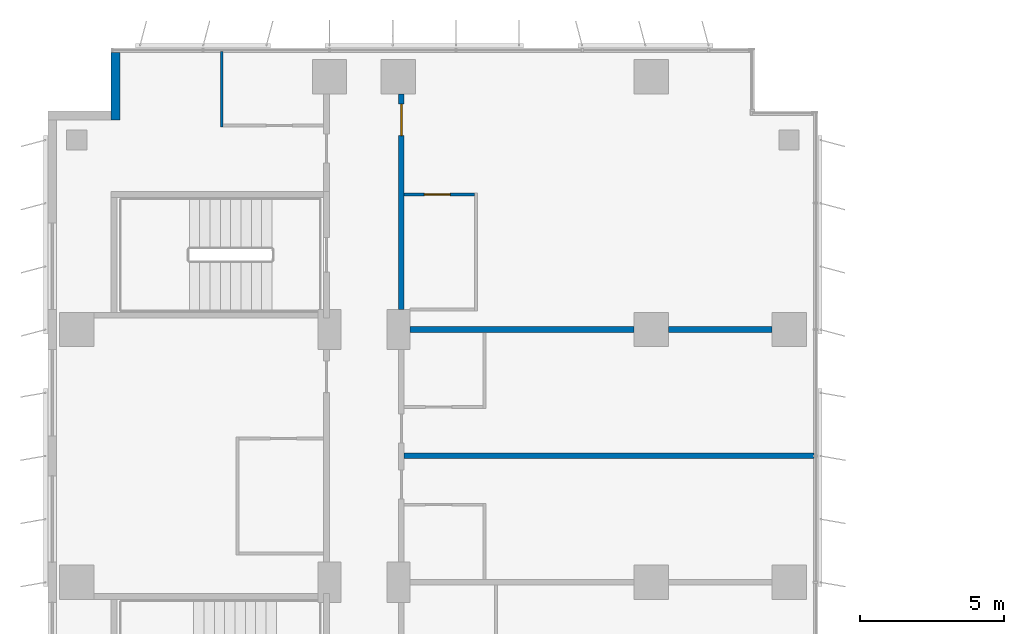
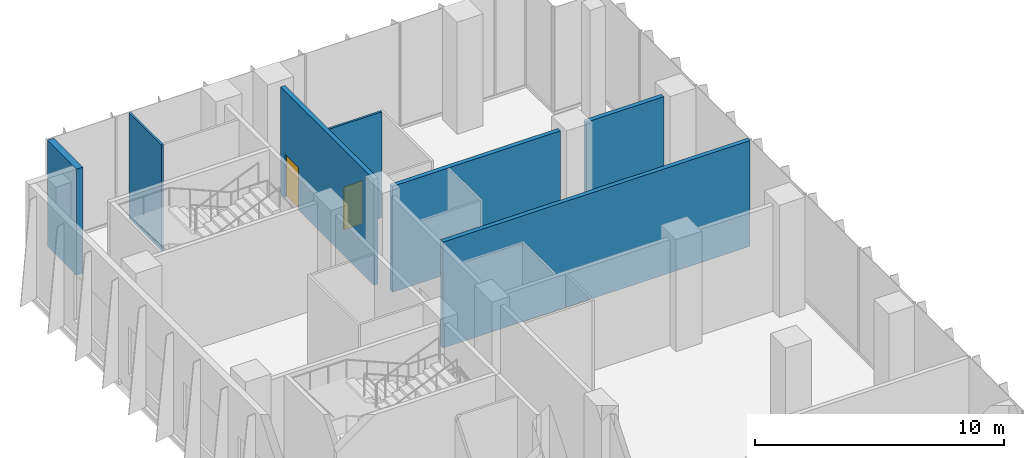
# One storey, part 18 of 26: 7 walls, 2 doors, 2 openings.
"""IFC4 building model written with IfcOpenShell, lengths in metres."""

from ifc_helpers import new_model, si_unit, direction, frame, frame_2d, origin, place, context, subcontext, project, spatial, rectangle, extrude, material, layer, layer_set, type_object, element, fill, save


model = new_model("IFC4")

# Units and contexts
model_context = context("Model", 3, precision=1e-05, world=origin(), true_north=direction((0.0, 1.0)))
body_context = subcontext(model_context, "Body", "Model", "MODEL_VIEW")
ifc_project = project(units=[si_unit("LENGTHUNIT", "METRE"), si_unit("AREAUNIT", "SQUARE_METRE"), si_unit("VOLUMEUNIT", "CUBIC_METRE"), si_unit("PLANEANGLEUNIT", "RADIAN"), si_unit("MASSUNIT", "GRAM", prefix="KILO")], contexts=[model_context])

# Site, building, storey
site_placement = place(None, origin())
site = spatial("IfcSite", under=ifc_project, at=site_placement, CompositionType="ELEMENT")
building_placement = place(site_placement, origin())
building = spatial("IfcBuilding", under=site, at=building_placement, Name="Kemantara Hotel Tower", CompositionType="ELEMENT")
storey_placement = place(building_placement, frame((0.0, 0.0, 101.89990234375)))
storey = spatial("IfcBuildingStorey", under=building, at=storey_placement, Name="L24", CompositionType="ELEMENT", Elevation=101.89990234375)

# Wall
ifc_material_1 = material(Name="Bronze anodised aluminium cladding on insulated steel stud wall", Category="steel")
ifc_layer_1 = layer(ifc_material_1, 0.300048828125)
ifc_layer_set_1 = layer_set([ifc_layer_1], Name="Bronze anodised aluminium cladding on insulated steel stud wall")
wall_type_1 = type_object("IfcWallType", Name="BRONZE METAL-CLAD EXTERNAL WALL 300", PredefinedType="STANDARD", material=ifc_layer_set_1)
wall_1_placement = place(storey_placement, frame((2.35009765625, 81.050048828125, 0.0), z_axis=(0.0, 0.0, 1.0), x_axis=(0.0, -1.0, 0.0)))
element("IfcWall", 1, at=wall_1_placement, inside=storey, type_object=wall_type_1, Name="EXTERNAL WALL L24 T2-R02", PredefinedType="STANDARD", context=body_context, shape_type="SweptSolid", body=[
    extrude(rectangle(XDim=2.35009765625, YDim=0.300048828125, at=frame_2d((1.175048828125, 0.0))), origin(), (0.0, 0.0, 1.0), 5.2001953125),
])

# Wall, opening, door
ifc_material_2 = material(Name="Gypsum board partition, steel studs and mineral wool, 200 mm", Category="steel")
ifc_layer_2 = layer(ifc_material_2, 0.199951171875)
ifc_layer_set_2 = layer_set([ifc_layer_2], Name="Gypsum board partition, steel studs and mineral wool, 200 mm")
wall_type_2 = type_object("IfcWallType", Name="CORRIDOR WALL 200", PredefinedType="PARTITIONING", material=ifc_layer_set_2)
wall_2_placement = place(storey_placement, frame((12.300048828125, 79.599853515625, 0.0), z_axis=(0.0, 0.0, 1.0), x_axis=(0.0, -1.0, 0.0)))
wall_2 = element("IfcWall", 2, at=wall_2_placement, inside=storey, type_object=wall_type_2, Name="CORRIDOR WALL 200 037", PredefinedType="PARTITIONING", context=body_context, shape_type="SweptSolid", body=[
    extrude(rectangle(XDim=7.499755859375, YDim=0.199951171875, at=frame_2d((3.75, 0.0))), origin(), (0.0, 0.0, 1.0), 5.2001953125),
])
opening_1_placement = place(wall_2_placement, frame((0.349853515625, 0.0, 0.0)))
opening_1 = element("IfcOpeningElement", 3, at=opening_1_placement, cuts=wall_2, Name="Opening F10-049", PredefinedType="OPENING", context=body_context, shape_type="SweptSolid", body=[
    extrude(rectangle(XDim=1.10009765625, YDim=2.10009765625, at=frame_2d((0.550048828125, 1.050048828125))), frame((0.0, 0.10986328125, 0.0), z_axis=(0.0, -1.0, 0.0), x_axis=(1.0, 0.0, 0.0)), (0.0, 0.0, 1.0), 0.219970703125),
])
ifc_material_3 = material(Name="Hardwood veneer door leaf with steel frame", Category="steel")
door_type_1 = type_object("IfcDoorType", Name="SUITE ENTRANCE DOOR 1100 X 2100 FD30S", OperationType="NOTDEFINED", PredefinedType="DOOR", material=ifc_material_3)
door_1_placement = place(opening_1_placement, origin())
door_1 = element("IfcDoor", 4, at=door_1_placement, inside=storey, type_object=door_type_1, Name="SUITE ENTRANCE DOOR F10-049", OperationType="SINGLE_SWING_LEFT", OverallHeight=2.10009765625, OverallWidth=1.10009765625, PredefinedType="DOOR", context=body_context, shape_type="SweptSolid", body=[
    extrude(rectangle(XDim=1.10009765625, YDim=2.10009765625, at=frame_2d((0.550048828125, 1.050048828125))), frame((0.0, 0.02490234375, 0.0), z_axis=(0.0, -1.0, 0.0), x_axis=(1.0, 0.0, 0.0)), (0.0, 0.0, 1.0), 0.050048828125),
])
fill(opening_1, door_1)

# Walls
ifc_layer_3 = layer(ifc_material_2, 0.199951171875)
ifc_layer_set_3 = layer_set([ifc_layer_3], Name="Gypsum board partition, steel studs and mineral wool, 200 mm")
wall_type_3 = type_object("IfcWallType", Name="GUEST ROOM PARTY WALL 200", PredefinedType="PARTITIONING", material=ifc_layer_set_3)
wall_3_placement = place(storey_placement, frame((12.39990234375, 67.0, 0.0), z_axis=(0.0, 0.0, 1.0), x_axis=(1.0, 0.0, 0.0)))
element("IfcWall", 5, at=wall_3_placement, inside=storey, type_object=wall_type_3, Name="GUEST ROOM PARTY WALL 200 046", PredefinedType="PARTITIONING", context=body_context, shape_type="SweptSolid", body=[
    extrude(rectangle(XDim=14.27001953125, YDim=0.199951171875, at=frame_2d((7.135009765625, 0.0))), origin(), (0.0, 0.0, 1.0), 5.2001953125),
])
wall_4_placement = place(storey_placement, frame((12.60009765625, 71.39990234375, 0.0), z_axis=(0.0, 0.0, 1.0), x_axis=(1.0, 0.0, 0.0)))
element("IfcWall", 6, at=wall_4_placement, inside=storey, type_object=wall_type_3, Name="GUEST ROOM PARTY WALL 200 047", PredefinedType="PARTITIONING", context=body_context, shape_type="SweptSolid", body=[
    extrude(rectangle(XDim=7.7998046875, YDim=0.199951171875, at=frame_2d((3.89990234375, 0.0))), origin(), (0.0, 0.0, 1.0), 5.2001953125),
])
wall_5_placement = place(storey_placement, frame((21.60009765625, 71.39990234375, 0.0), z_axis=(0.0, 0.0, 1.0), x_axis=(1.0, 0.0, 0.0)))
element("IfcWall", 7, at=wall_5_placement, inside=storey, type_object=wall_type_3, Name="GUEST ROOM PARTY WALL 200 048", PredefinedType="PARTITIONING", context=body_context, shape_type="SweptSolid", body=[
    extrude(rectangle(XDim=3.599853515625, YDim=0.199951171875, at=frame_2d((1.7998046875, 0.0))), origin(), (0.0, 0.0, 1.0), 5.2001953125),
])
ifc_material_4 = material(Name="Gypsum board partition on steel studs, 100 mm", Category="steel")
ifc_layer_4 = layer(ifc_material_4, 0.10009765625)
ifc_layer_set_4 = layer_set([ifc_layer_4], Name="Gypsum board partition on steel studs, 100 mm")
wall_type_4 = type_object("IfcWallType", Name="ROOM PARTITION 100", PredefinedType="PARTITIONING", material=ifc_layer_set_4)
wall_6_placement = place(storey_placement, frame((6.050048828125, 78.449951171875, 0.0), z_axis=(0.0, 0.0, 1.0), x_axis=(0.0, 1.0, 0.0)))
element("IfcWall", 8, at=wall_6_placement, inside=storey, type_object=wall_type_4, Name="ROOM PARTITION 100 064", PredefinedType="PARTITIONING", context=body_context, shape_type="SweptSolid", body=[
    extrude(rectangle(XDim=2.6201171875, YDim=0.10009765625, at=frame_2d((1.31005859375, 0.0))), origin(), (0.0, 0.0, 1.0), 5.2001953125),
])

# Wall, opening, door
wall_7_placement = place(storey_placement, frame((14.85009765625, 76.10009765625, 0.0), z_axis=(0.0, 0.0, 1.0), x_axis=(-1.0, 0.0, 0.0)))
wall_7 = element("IfcWall", 9, at=wall_7_placement, inside=storey, type_object=wall_type_4, Name="ROOM PARTITION 100 099", PredefinedType="PARTITIONING", context=body_context, shape_type="SweptSolid", body=[
    extrude(rectangle(XDim=2.4501953125, YDim=0.10009765625, at=frame_2d((1.22509765625, 0.0))), origin(), (0.0, 0.0, 1.0), 5.2001953125),
])
opening_2_placement = place(wall_7_placement, frame((0.85009765625, 0.0, 0.0)))
opening_2 = element("IfcOpeningElement", 10, at=opening_2_placement, cuts=wall_7, Name="Opening F10-050", PredefinedType="OPENING", context=body_context, shape_type="SweptSolid", body=[
    extrude(rectangle(XDim=0.89990234375, YDim=2.10009765625, at=frame_2d((0.449951171875, 1.050048828125))), frame((0.0, 0.06005859375, 0.0), z_axis=(0.0, -1.0, 0.0), x_axis=(1.0, 0.0, 0.0)), (0.0, 0.0, 1.0), 0.1201171875),
])
door_type_2 = type_object("IfcDoorType", Name="BATHROOM DOOR 900 X 2100", OperationType="NOTDEFINED", PredefinedType="DOOR", material=ifc_material_3)
door_2_placement = place(opening_2_placement, origin())
door_2 = element("IfcDoor", 11, at=door_2_placement, inside=storey, type_object=door_type_2, Name="BATHROOM DOOR F10-050", OperationType="SINGLE_SWING_RIGHT", OverallHeight=2.10009765625, OverallWidth=0.89990234375, PredefinedType="DOOR", context=body_context, shape_type="SweptSolid", body=[
    extrude(rectangle(XDim=0.89990234375, YDim=2.10009765625, at=frame_2d((0.449951171875, 1.050048828125))), frame((0.0, 0.02490234375, 0.0), z_axis=(0.0, -1.0, 0.0), x_axis=(1.0, 0.0, 0.0)), (0.0, 0.0, 1.0), 0.050048828125),
])
fill(opening_2, door_2)

save(model, "model.ifc")
